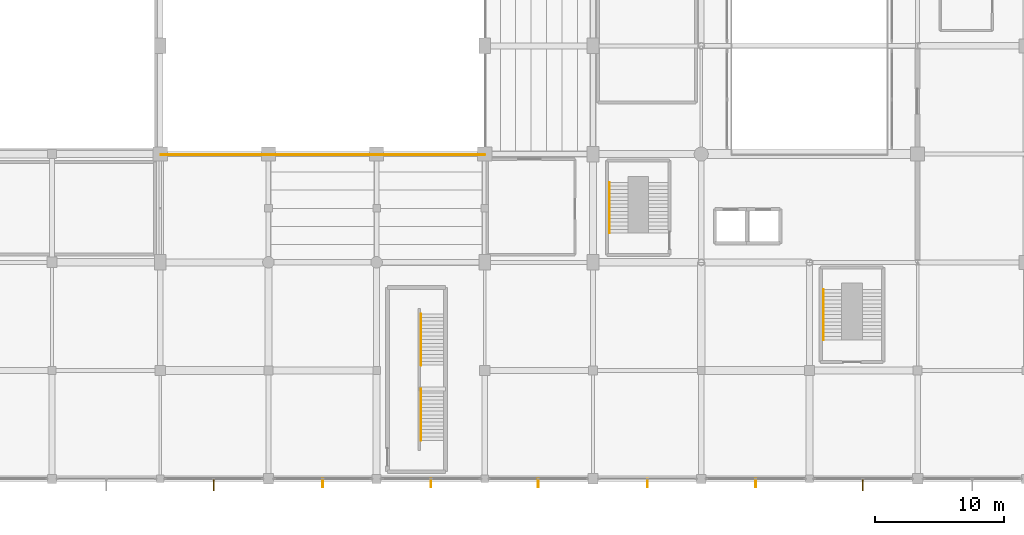
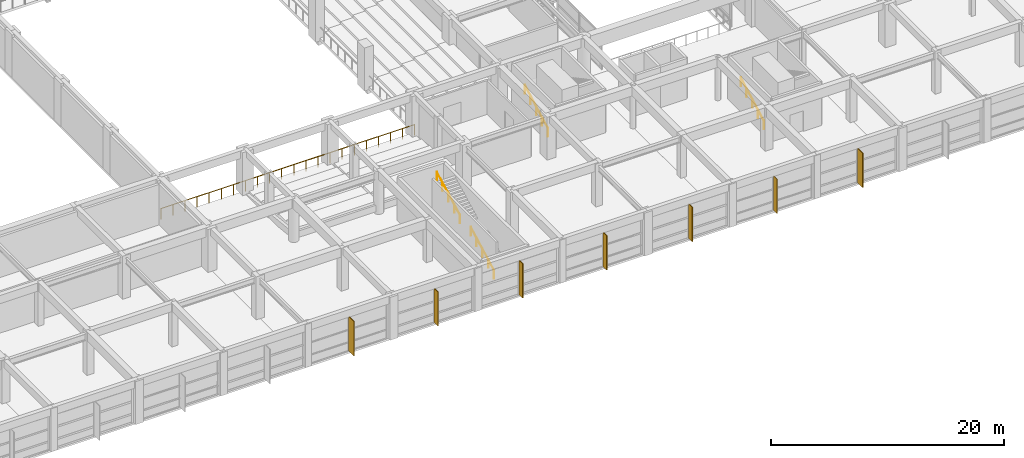
# One storey, part 57 of 62: 7 shading devices, 5 railings.
"""IFC4 building model written with IfcOpenShell, lengths in metres."""

import ifcopenshell
import ifcopenshell.guid

model = None  # the IFC model being written
_history = None  # IfcOwnerHistory: only IFC2X3 demands one
_inside = {}  # id of a spatial element -> (the spatial element, [elements in it])
_under = {}  # id of a project, library or spatial element -> (it, [spatial elements below it])
_declared = {}  # id of a project -> (the project, [libraries it declares])
_typed = {}  # id of a type object -> (the type object, [elements of that type])
_made_of = {}  # id of a material, layer set ... -> (it, [elements and type objects made of it])


def new_model(schema):
    """Start an empty IFC model of exactly this schema.

    Asked for "IFC4X3", IfcOpenShell would pick the latest addendum, in which some entities
    have other attributes; the version numbers below select the first issue.
    IFC2X3 requires an IfcOwnerHistory on every rooted entity: one is made here for all.
    """
    global model, _history
    if schema == "IFC4X3":
        model = ifcopenshell.file(schema_version=(4, 3, 0, 0))
    else:
        model = ifcopenshell.file(schema=schema)
    _inside.clear()
    _under.clear()
    _declared.clear()
    _typed.clear()
    _made_of.clear()
    _history = None
    if model.schema == "IFC2X3":
        org = make("IfcOrganization", Name="unknown")
        user = make(
            "IfcPersonAndOrganization",
            ThePerson=make("IfcPerson", FamilyName="unknown"),
            TheOrganization=org,
        )
        app = make(
            "IfcApplication",
            ApplicationDeveloper=org,
            Version="unknown",
            ApplicationFullName="unknown",
            ApplicationIdentifier="unknown",
        )
        _history = make(
            "IfcOwnerHistory",
            OwningUser=user,
            OwningApplication=app,
            ChangeAction="ADDED",
            CreationDate=0,
        )
    return model


def make(cls, **values):
    """One entity of the class cls with the attributes given. An attribute that is None is left unset."""
    return model.create_entity(
        cls, **{name: value for name, value in values.items() if value is not None}
    )


def rooted(cls, **values):
    """An entity with a GlobalId (a new one), such as an element, a storey or a relation."""
    return make(cls, GlobalId=ifcopenshell.guid.new(), OwnerHistory=_history, **values)


def si_unit(unit_type, name, prefix=None):
    """IfcSIUnit, for example si_unit("LENGTHUNIT", "METRE", prefix="MILLI")."""
    return make("IfcSIUnit", UnitType=unit_type, Prefix=prefix, Name=name)


def assignment(units):
    """IfcUnitAssignment: the units of a project."""
    return None if units is None else make("IfcUnitAssignment", Units=units)


def point(xyz):
    """IfcCartesianPoint."""
    return None if xyz is None else make("IfcCartesianPoint", Coordinates=xyz)


def direction(xyz):
    """IfcDirection."""
    return None if xyz is None else make("IfcDirection", DirectionRatios=xyz)


def frame(location, z_axis=None, x_axis=None):
    """IfcAxis2Placement3D, a coordinate frame: its origin and axes. An axis left out is left unset."""
    return make(
        "IfcAxis2Placement3D",
        Location=point(location),
        Axis=direction(z_axis),
        RefDirection=direction(x_axis),
    )


def frame_2d(location, x_axis=None):
    """IfcAxis2Placement2D, a coordinate frame in the plane: its origin and x axis."""
    return make(
        "IfcAxis2Placement2D", Location=point(location), RefDirection=direction(x_axis)
    )


def origin():
    """The frame at (0, 0, 0) with its axes left unset."""
    return frame((0.0, 0.0, 0.0))


def origin_2d():
    """The frame at (0, 0) in the plane with its x axis left unset."""
    return frame_2d((0.0, 0.0))


def place(relative_to, where):
    """IfcLocalPlacement: puts the frame where relative to a parent placement (None: the world)."""
    return make(
        "IfcLocalPlacement", PlacementRelTo=relative_to, RelativePlacement=where
    )


def context(
    kind, dimensions, precision=None, world=None, true_north=None, identifier=None
):
    """IfcGeometricRepresentationContext, for example the 3D "Model" context."""
    return make(
        "IfcGeometricRepresentationContext",
        ContextIdentifier=identifier,
        ContextType=kind,
        CoordinateSpaceDimension=dimensions,
        Precision=precision,
        WorldCoordinateSystem=world,
        TrueNorth=true_north,
    )


def subcontext(parent, identifier, kind, view, scale=None):
    """IfcGeometricRepresentationSubContext, for example "Body" below "Model"."""
    return make(
        "IfcGeometricRepresentationSubContext",
        ContextIdentifier=identifier,
        ContextType=kind,
        ParentContext=parent,
        TargetScale=scale,
        TargetView=view,
    )


def project(units=None, contexts=None):
    """IfcProject with its units and contexts."""
    return rooted(
        "IfcProject",
        Name="project",
        RepresentationContexts=contexts,
        UnitsInContext=assignment(units),
    )


def spatial(cls, under=None, at=None, **own):
    """A site, building, storey or space (cls), placed at a placement, below another one or the project."""
    s = rooted(cls, ObjectPlacement=at, **own)
    if under is not None:
        _under.setdefault(under.id(), (under, []))[1].append(s)
    return s


def profile(cls, at=None, kind="AREA", **sizes):
    """A parametric profile (cls). Its sizes go by their IFC names, for example OverallWidth=200.0."""
    return make(cls, ProfileType=kind, Position=at, **sizes)


def rectangle(**sizes):
    """IfcRectangleProfileDef."""
    return profile("IfcRectangleProfileDef", **sizes)


def circle(**sizes):
    """IfcCircleProfileDef."""
    return profile("IfcCircleProfileDef", **sizes)


def extrude(swept, where, along, depth):
    """IfcExtrudedAreaSolid: the profile swept, set in the frame where, extruded along a direction by depth."""
    return make(
        "IfcExtrudedAreaSolid",
        SweptArea=swept,
        Position=where,
        ExtrudedDirection=direction(along),
        Depth=depth,
    )


def shape(context_of_items, identifier, shape_type, items):
    """IfcShapeRepresentation: the items that make up one representation, for example the "Body"."""
    return make(
        "IfcShapeRepresentation",
        ContextOfItems=context_of_items,
        RepresentationIdentifier=identifier,
        RepresentationType=shape_type,
        Items=items,
    )


def material(Name=None, Category=None):
    """IfcMaterial."""
    return make("IfcMaterial", Name=Name, Category=Category)


def made_of(thing, what):
    """Note that an element or type object is made of a material, layer set ...; save() writes the relation."""
    if what is not None:
        _made_of.setdefault(what.id(), (what, []))[1].append(thing)
    return thing


def type_object(cls, material=None, **own):
    """A type object (cls), such as IfcWallType, which elements share."""
    return made_of(rooted(cls, **own), material)


def element(
    cls,
    number,
    at=None,
    inside=None,
    cuts=None,
    type_object=None,
    material=None,
    context=None,
    identifier="Body",
    shape_type=None,
    held_by="IfcProductDefinitionShape",
    body=None,
    shapes=None,
    **own,
):
    """One element of the class cls, such as IfcWall. Its Tag is "e" and its number.

    at: its placement. inside: the storey or other place that contains it. cuts: it is an
    opening in that element (IfcRelVoidsElement). A single representation is given by context,
    identifier, shape_type and body (its items); several are given by shapes. held_by: the class
    of the entity that holds the representations. save() writes the other relations.
    """
    e = rooted(cls, Tag="e%d" % number, ObjectPlacement=at, **own)
    if body is not None:
        shapes = [shape(context, identifier, shape_type, body)]
    if shapes is not None:
        e.Representation = make(held_by, Representations=shapes)
    if inside is not None:
        _inside.setdefault(inside.id(), (inside, []))[1].append(e)
    if cuts is not None:
        rooted(
            "IfcRelVoidsElement", RelatingBuildingElement=cuts, RelatedOpeningElement=e
        )
    if type_object is not None:
        _typed.setdefault(type_object.id(), (type_object, []))[1].append(e)
    return made_of(e, material)


def aggregate(whole, parts):
    """IfcRelAggregates: a whole, such as a stair, and the parts it consists of."""
    return rooted("IfcRelAggregates", RelatingObject=whole, RelatedObjects=parts)


def save(model, path):
    """Write the relations noted so far, then the file.

    IfcRelAggregates (storeys below a building ...), IfcRelContainedInSpatialStructure (elements
    in a storey), IfcRelDefinesByType, IfcRelAssociatesMaterial and IfcRelDeclares: one each for
    every whole, place, type object, material and project.
    """
    for whole, parts in _under.values():
        aggregate(whole, parts)
    for where, things in _inside.values():
        rooted(
            "IfcRelContainedInSpatialStructure",
            RelatedElements=things,
            RelatingStructure=where,
        )
    for kind, things in _typed.values():
        rooted("IfcRelDefinesByType", RelatedObjects=things, RelatingType=kind)
    for what, things in _made_of.values():
        rooted("IfcRelAssociatesMaterial", RelatedObjects=things, RelatingMaterial=what)
    for by, libraries in _declared.values():
        rooted("IfcRelDeclares", RelatingContext=by, RelatedDefinitions=libraries)
    model.write(path)


model = new_model("IFC4")

# Units and contexts
model_context = context("Model", 3, precision=1e-05, world=origin(), true_north=direction((0.0, 1.0)))
body_context = subcontext(model_context, "Body", "Model", "MODEL_VIEW")
ifc_project = project(units=[si_unit("LENGTHUNIT", "METRE"), si_unit("AREAUNIT", "SQUARE_METRE"), si_unit("VOLUMEUNIT", "CUBIC_METRE"), si_unit("PLANEANGLEUNIT", "RADIAN"), si_unit("MASSUNIT", "GRAM", prefix="KILO")], contexts=[model_context])

# Site, building, storey
site_placement = place(None, origin())
site = spatial("IfcSite", under=ifc_project, at=site_placement, CompositionType="ELEMENT")
building_placement = place(site_placement, origin())
building = spatial("IfcBuilding", under=site, at=building_placement, Name="Xuanlan Plaza Opera House", CompositionType="ELEMENT")
storey_placement = place(building_placement, frame((0.0, 0.0, 14.39990234375)))
storey = spatial("IfcBuildingStorey", under=building, at=storey_placement, Name="L03", CompositionType="ELEMENT", Elevation=14.39990234375)

# Shading devices
ifc_material_1 = material(Name="Anodised Aluminium 6063-T6", Category="aluminium")
shading_device_type_1 = type_object("IfcShadingDeviceType", Name="ENV-SHD-BRS01", PredefinedType="JALOUSIE", material=ifc_material_1)
for number, where, z_axis, x_axis, name in (
    (1, (79.824951171875, 16.47509765625, 0.0400390625), (0.0, 0.0, 1.0), (0.0, -1.0, 0.0), "Parametric Sunshade Fin L03-0155"),
    (2, (88.22509765625, 16.47509765625, 0.0400390625), (0.0, 0.0, 1.0), (0.0, -1.0, 0.0), "Parametric Sunshade Fin L03-0156"),
    (3, (96.550048828125, 16.47509765625, 0.0400390625), (0.0, 0.0, 1.0), (0.0, -1.0, 0.0), "Parametric Sunshade Fin L03-0157"),
    (4, (105.02490234375, 16.47509765625, 0.0400390625), (0.0, 0.0, 1.0), (0.0, -1.0, 0.0), "Parametric Sunshade Fin L03-0158"),
    (5, (113.425048828125, 16.47509765625, 0.0400390625), (0.0, 0.0, 1.0), (0.0, -1.0, 0.0), "Parametric Sunshade Fin L03-0159"),
):
    element("IfcShadingDevice", number, at=place(storey_placement, frame(where, z_axis=z_axis, x_axis=x_axis)), inside=storey, type_object=shading_device_type_1, Name=name, PredefinedType="JALOUSIE", context=body_context, shape_type="SweptSolid", body=[
        extrude(rectangle(XDim=0.639892578125, YDim=0.070068359375, at=origin_2d()), origin(), (0.0, 0.0, 1.0), 3.60009765625),
    ])
shading_device_type_2 = type_object("IfcShadingDeviceType", Name="ENV-SHD-BRS02", PredefinedType="JALOUSIE", material=ifc_material_1)
for number, where, z_axis, x_axis, name in (
    (6, (71.35009765625, 16.3349609375, 0.0400390625), (0.0, 0.0, 1.0), (0.0, -1.0, 0.0), "Parametric Sunshade Fin L03-0154"),
    (7, (121.75, 16.3349609375, 0.0400390625), (0.0, 0.0, 1.0), (0.0, -1.0, 0.0), "Parametric Sunshade Fin L03-0160"),
):
    element("IfcShadingDevice", number, at=place(storey_placement, frame(where, z_axis=z_axis, x_axis=x_axis)), inside=storey, type_object=shading_device_type_2, Name=name, PredefinedType="JALOUSIE", context=body_context, shape_type="SweptSolid", body=[
        extrude(rectangle(XDim=0.919921875, YDim=0.080078125, at=origin_2d()), origin(), (0.0, 0.0, 1.0), 3.60009765625),
    ])

# Railings
ifc_material_2 = material(Name="Stainless Steel S30408 and Laminated Glass", Category="steel")
railing_type_1 = type_object("IfcRailingType", Name="INT-RL-GR03", PredefinedType="GUARDRAIL", material=ifc_material_2)
railing_1_placement = place(storey_placement, frame((67.25, 41.949951171875, 0.0)))
element("IfcRailing", 8, at=railing_1_placement, inside=storey, type_object=railing_type_1, Name="Auditorium Bowl Side Guardrail L03 S", PredefinedType="GUARDRAIL", context=body_context, shape_type="SweptSolid", body=[
    extrude(circle(Radius=0.02392578125, at=origin_2d()), frame((0.0, 0.0, 1.09619140625), z_axis=(1.0, 0.0, 0.0), x_axis=(0.0, 1.0, 0.0)), (0.0, 0.0, 1.0), 25.14990234375),
    extrude(circle(Radius=0.02099609375, at=origin_2d()), origin(), (0.0, 0.0, 1.0), 1.072021484375),
    extrude(circle(Radius=0.02099609375, at=origin_2d()), frame((1.197509765625, 0.0, 0.0)), (0.0, 0.0, 1.0), 1.072021484375),
    extrude(circle(Radius=0.02099609375, at=origin_2d()), frame((2.395263671875, 0.0, 0.0)), (0.0, 0.0, 1.0), 1.072021484375),
    extrude(circle(Radius=0.02099609375, at=origin_2d()), frame((3.5927734375, 0.0, 0.0)), (0.0, 0.0, 1.0), 1.072021484375),
    extrude(circle(Radius=0.02099609375, at=origin_2d()), frame((4.79052734375, 0.0, 0.0)), (0.0, 0.0, 1.0), 1.072021484375),
    extrude(circle(Radius=0.02099609375, at=origin_2d()), frame((5.988037109375, 0.0, 0.0)), (0.0, 0.0, 1.0), 1.072021484375),
    extrude(circle(Radius=0.02099609375, at=origin_2d()), frame((7.185791015625, 0.0, 0.0)), (0.0, 0.0, 1.0), 1.072021484375),
    extrude(circle(Radius=0.02099609375, at=origin_2d()), frame((8.38330078125, 0.0, 0.0)), (0.0, 0.0, 1.0), 1.072021484375),
    extrude(circle(Radius=0.02099609375, at=origin_2d()), frame((9.580810546875, 0.0, 0.0)), (0.0, 0.0, 1.0), 1.072021484375),
    extrude(circle(Radius=0.02099609375, at=origin_2d()), frame((10.778564453125, 0.0, 0.0)), (0.0, 0.0, 1.0), 1.072021484375),
    extrude(circle(Radius=0.02099609375, at=origin_2d()), frame((11.97607421875, 0.0, 0.0)), (0.0, 0.0, 1.0), 1.072021484375),
    extrude(circle(Radius=0.02099609375, at=origin_2d()), frame((13.173828125, 0.0, 0.0)), (0.0, 0.0, 1.0), 1.072021484375),
    extrude(circle(Radius=0.02099609375, at=origin_2d()), frame((14.371337890625, 0.0, 0.0)), (0.0, 0.0, 1.0), 1.072021484375),
    extrude(circle(Radius=0.02099609375, at=origin_2d()), frame((15.569091796875, 0.0, 0.0)), (0.0, 0.0, 1.0), 1.072021484375),
    extrude(circle(Radius=0.02099609375, at=origin_2d()), frame((16.7666015625, 0.0, 0.0)), (0.0, 0.0, 1.0), 1.072021484375),
    extrude(circle(Radius=0.02099609375, at=origin_2d()), frame((17.964111328125, 0.0, 0.0)), (0.0, 0.0, 1.0), 1.072021484375),
    extrude(circle(Radius=0.02099609375, at=origin_2d()), frame((19.161865234375, 0.0, 0.0)), (0.0, 0.0, 1.0), 1.072021484375),
    extrude(circle(Radius=0.02099609375, at=origin_2d()), frame((20.359375, 0.0, 0.0)), (0.0, 0.0, 1.0), 1.072021484375),
    extrude(circle(Radius=0.02099609375, at=origin_2d()), frame((21.55712890625, 0.0, 0.0)), (0.0, 0.0, 1.0), 1.072021484375),
    extrude(circle(Radius=0.02099609375, at=origin_2d()), frame((22.754638671875, 0.0, 0.0)), (0.0, 0.0, 1.0), 1.072021484375),
    extrude(circle(Radius=0.02099609375, at=origin_2d()), frame((23.952392578125, 0.0, 0.0)), (0.0, 0.0, 1.0), 1.072021484375),
    extrude(circle(Radius=0.02099609375, at=origin_2d()), frame((25.14990234375, 0.0, 0.0)), (0.0, 0.0, 1.0), 1.072021484375),
])
ifc_material_3 = material(Name="Stainless Steel S30408", Category="steel")
railing_type_2 = type_object("IfcRailingType", Name="INT-RL-HR01", PredefinedType="HANDRAIL", material=ifc_material_3)
for number, where, name in (
    (9, (87.4599609375, 19.77001953125, 0.150146484375), "Stair Handrail ST-P3 L03 Flight 1"),
    (10, (87.4599609375, 25.610107421875, 2.400146484375), "Stair Handrail ST-P3 L03 Flight 2"),
):
    element("IfcRailing", number, at=place(storey_placement, frame(where)), inside=storey, type_object=railing_type_2, Name=name, PredefinedType="HANDRAIL", context=body_context, shape_type="SweptSolid", body=[
        extrude(circle(Radius=0.02392578125, at=origin_2d()), frame((0.0, 0.0, 0.8759765625), z_axis=(0.0, 0.884931142248, 0.465721884261), x_axis=(-1.0, 0.0, 0.0)), (0.0, 0.0, 1.0), 4.5087890625),
        extrude(circle(Radius=0.02099609375, at=origin_2d()), origin(), (0.0, 0.0, 1.0), 0.851806640625),
        extrude(circle(Radius=0.02099609375, at=origin_2d()), frame((0.0, 0.99755859375, 0.52490234375)), (0.0, 0.0, 1.0), 0.851806640625),
        extrude(circle(Radius=0.02099609375, at=origin_2d()), frame((0.0, 1.9951171875, 1.0498046875)), (0.0, 0.0, 1.0), 0.851806640625),
        extrude(circle(Radius=0.02099609375, at=origin_2d()), frame((0.0, 2.992431640625, 1.574951171875)), (0.0, 0.0, 1.0), 0.851806640625),
        extrude(circle(Radius=0.02099609375, at=origin_2d()), frame((0.0, 3.989990234375, 2.099853515625)), (0.0, 0.0, 1.0), 0.851806640625),
    ])
railing_type_3 = type_object("IfcRailingType", Name="INT-RL-HR02", PredefinedType="HANDRAIL", material=ifc_material_3)
railing_2_placement = place(storey_placement, frame((102.080078125, 35.8798828125, 0.150146484375)))
element("IfcRailing", 11, at=railing_2_placement, inside=storey, type_object=railing_type_3, Name="Feature Stair Handrail ST-F1 L03 Flight 1", PredefinedType="HANDRAIL", context=body_context, shape_type="SweptSolid", body=[
    extrude(circle(Radius=0.02392578125, at=origin_2d()), frame((0.0, 0.0, 0.89599609375), z_axis=(0.0, 0.881502004561, 0.472180279083), x_axis=(-1.0, 0.0, 0.0)), (0.0, 0.0, 1.0), 4.447265625),
    extrude(circle(Radius=0.02099609375, at=origin_2d()), origin(), (0.0, 0.0, 1.0), 0.871826171875),
    extrude(circle(Radius=0.02099609375, at=origin_2d()), frame((0.0, 0.97998046875, 0.52490234375)), (0.0, 0.0, 1.0), 0.871826171875),
    extrude(circle(Radius=0.02099609375, at=origin_2d()), frame((0.0, 1.9599609375, 1.0498046875)), (0.0, 0.0, 1.0), 0.871826171875),
    extrude(circle(Radius=0.02099609375, at=origin_2d()), frame((0.0, 2.940185546875, 1.574951171875)), (0.0, 0.0, 1.0), 0.871826171875),
    extrude(circle(Radius=0.02099609375, at=origin_2d()), frame((0.0, 3.920166015625, 2.099853515625)), (0.0, 0.0, 1.0), 0.871826171875),
])
railing_3_placement = place(storey_placement, frame((118.679931640625, 27.580078125, 0.150146484375)))
element("IfcRailing", 12, at=railing_3_placement, inside=storey, type_object=railing_type_3, Name="Feature Stair Handrail ST-F3 L03 Flight 1", PredefinedType="HANDRAIL", context=body_context, shape_type="SweptSolid", body=[
    extrude(circle(Radius=0.02392578125, at=origin_2d()), frame((0.0, 0.0, 0.89599609375), z_axis=(0.0, 0.881489763865, 0.472203130232), x_axis=(-1.0, 0.0, 0.0)), (0.0, 0.0, 1.0), 4.447021484375),
    extrude(circle(Radius=0.02099609375, at=origin_2d()), origin(), (0.0, 0.0, 1.0), 0.871826171875),
    extrude(circle(Radius=0.02099609375, at=origin_2d()), frame((0.0, 0.97998046875, 0.52490234375)), (0.0, 0.0, 1.0), 0.871826171875),
    extrude(circle(Radius=0.02099609375, at=origin_2d()), frame((0.0, 1.9599609375, 1.0498046875)), (0.0, 0.0, 1.0), 0.871826171875),
    extrude(circle(Radius=0.02099609375, at=origin_2d()), frame((0.0, 2.93994140625, 1.574951171875)), (0.0, 0.0, 1.0), 0.871826171875),
    extrude(circle(Radius=0.02099609375, at=origin_2d()), frame((0.0, 3.919921875, 2.099853515625)), (0.0, 0.0, 1.0), 0.871826171875),
])

save(model, "model.ifc")
